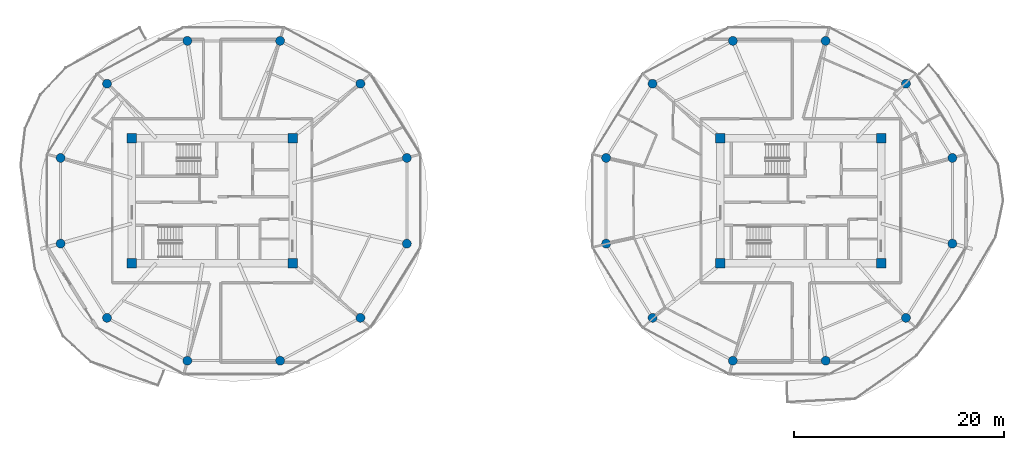
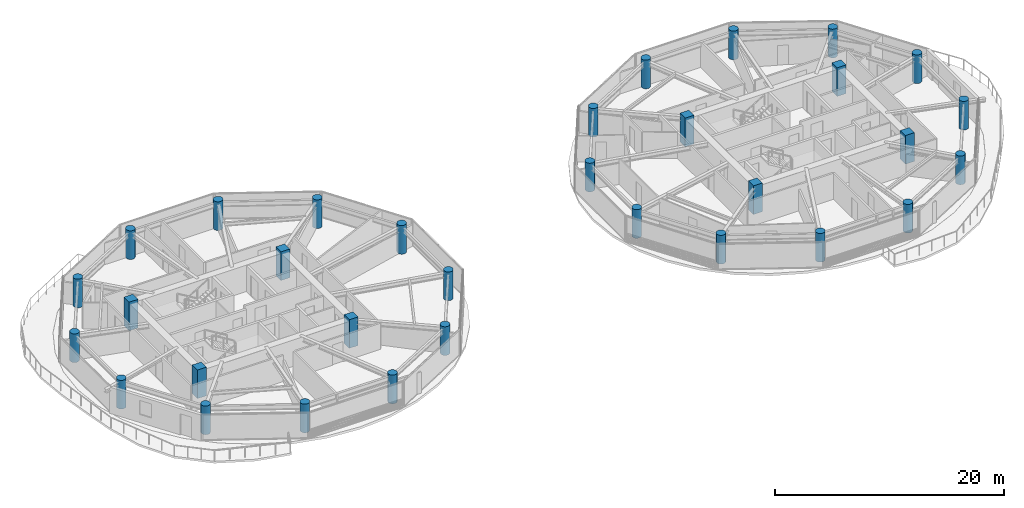
# One storey, part 1 of 23: 32 columns.
"""IFC4 building model written with IfcOpenShell, lengths in metres."""

from ifc_helpers import new_model, si_unit, direction, frame, origin, origin_2d, place, context, subcontext, project, spatial, rectangle, circle, extrude, source, transform, mapped, material, material_profile, profile_set, type_object, type_shapes, element, save


model = new_model("IFC4")

# Units and contexts
model_context = context("Model", 3, precision=1e-05, world=origin(), true_north=direction((0.0, 1.0)))
body_context = subcontext(model_context, "Body", "Model", "MODEL_VIEW")
ifc_project = project(units=[si_unit("LENGTHUNIT", "METRE"), si_unit("AREAUNIT", "SQUARE_METRE"), si_unit("VOLUMEUNIT", "CUBIC_METRE"), si_unit("PLANEANGLEUNIT", "RADIAN"), si_unit("MASSUNIT", "GRAM", prefix="KILO")], contexts=[model_context])

# Site, building, storey
site_placement = place(None, origin())
site = spatial("IfcSite", under=ifc_project, at=site_placement, CompositionType="ELEMENT")
building_placement = place(site_placement, origin())
building = spatial("IfcBuilding", under=site, at=building_placement, Name="Norrkilde Senior Care Towers", CompositionType="ELEMENT")
storey_placement = place(building_placement, frame((0.0, 0.0, 93.199951171875)))
storey = spatial("IfcBuildingStorey", under=building, at=storey_placement, Name="L28", CompositionType="ELEMENT", Elevation=93.199951171875)

# Columns
ifc_material = material(Name="Concrete C60/75", Category="concrete")
ifc_material_profile_1 = material_profile(ifc_material, rectangle(XDim=0.89990234375, YDim=0.89990234375, at=origin_2d()), Name="RC COL 900x900")
ifc_profile_set_1 = profile_set([ifc_material_profile_1], Name="Concrete C60/75")
column_type_1 = type_object("IfcColumnType", Name="Column Core Corner Z1-Z2 900", PredefinedType="COLUMN", material=ifc_profile_set_1)
shared_shape_1 = source(origin(), body_context, "Body", "SweptSolid", [
    extrude(rectangle(XDim=0.89990234375, YDim=0.89990234375, at=origin_2d()), origin(), (0.0, 0.0, 1.0), 3.050048828125),
])
type_shapes(column_type_1, [shared_shape_1])
for number, where, z_axis, x_axis, name in (
    (1, (-35.64990234375, -5.949951171875, 0.0), (0.0, 0.0, 1.0), (1.0, 0.0, 0.0), "L28 Core W Corner Column 1"),
    (2, (-20.35009765625, -5.949951171875, 0.0), (0.0, 0.0, 1.0), (1.0, 0.0, 0.0), "L28 Core W Corner Column 2"),
    (3, (-20.35009765625, 5.949951171875, 0.0), (0.0, 0.0, 1.0), (1.0, 0.0, 0.0), "L28 Core W Corner Column 3"),
    (4, (-35.64990234375, 5.949951171875, 0.0), (0.0, 0.0, 1.0), (1.0, 0.0, 0.0), "L28 Core W Corner Column 4"),
    (5, (20.35009765625, -5.949951171875, 0.0), (0.0, 0.0, 1.0), (1.0, 0.0, 0.0), "L28 Core E Corner Column 1"),
    (6, (35.64990234375, -5.949951171875, 0.0), (0.0, 0.0, 1.0), (1.0, 0.0, 0.0), "L28 Core E Corner Column 2"),
    (7, (35.64990234375, 5.949951171875, 0.0), (0.0, 0.0, 1.0), (1.0, 0.0, 0.0), "L28 Core E Corner Column 3"),
    (8, (20.35009765625, 5.949951171875, 0.0), (0.0, 0.0, 1.0), (1.0, 0.0, 0.0), "L28 Core E Corner Column 4"),
):
    element("IfcColumn", number, at=place(storey_placement, frame(where, z_axis=z_axis, x_axis=x_axis)), inside=storey, type_object=column_type_1, Name=name, PredefinedType="COLUMN", context=body_context, shape_type="MappedRepresentation", body=[
        mapped(shared_shape_1, transform((0.0, 0.0, 0.0), x_axis=(1.0, 0.0, 0.0), y_axis=(0.0, 1.0, 0.0), z_axis=(0.0, 0.0, 1.0), scale=1.0)),
    ])
ifc_material_profile_2 = material_profile(ifc_material, circle(Radius=0.425048828125, at=origin_2d()), Name="RC CIR 850")
ifc_profile_set_2 = profile_set([ifc_material_profile_2], Name="Concrete C60/75")
column_type_2 = type_object("IfcColumnType", Name="Column Perimeter Z2 850", PredefinedType="COLUMN", material=ifc_profile_set_2)
shared_shape_2 = source(origin(), body_context, "Body", "SweptSolid", [
    extrude(circle(Radius=0.425048828125, at=origin_2d()), origin(), (0.0, 0.0, 1.0), 3.050048828125),
])
type_shapes(column_type_2, [shared_shape_2])
for number, where, z_axis, x_axis, name in (
    (9, (-9.48095703125, 4.076416015625, 0.0), (0.0, 0.0, 1.0), (1.0, 0.0, 0.0), "L28 Drum W Perimeter Column 01"),
    (10, (-13.893798828125, 11.136962890625, 0.0), (0.0, 0.0, 1.0), (1.0, 0.0, 0.0), "L28 Drum W Perimeter Column 02"),
    (11, (-21.537109375, 15.21337890625, 0.0), (0.0, 0.0, 1.0), (1.0, 0.0, 0.0), "L28 Drum W Perimeter Column 03"),
    (12, (-30.36279296875, 15.21337890625, 0.0), (0.0, 0.0, 1.0), (1.0, 0.0, 0.0), "L28 Drum W Perimeter Column 04"),
    (13, (-38.006103515625, 11.136962890625, 0.0), (0.0, 0.0, 1.0), (1.0, 0.0, 0.0), "L28 Drum W Perimeter Column 05"),
    (14, (-42.4189453125, 4.076416015625, 0.0), (0.0, 0.0, 1.0), (1.0, 0.0, 0.0), "L28 Drum W Perimeter Column 06"),
    (15, (-42.4189453125, -4.076416015625, 0.0), (0.0, 0.0, 1.0), (1.0, 0.0, 0.0), "L28 Drum W Perimeter Column 07"),
    (16, (-38.006103515625, -11.136962890625, 0.0), (0.0, 0.0, 1.0), (1.0, 0.0, 0.0), "L28 Drum W Perimeter Column 08"),
    (17, (-30.36279296875, -15.21337890625, 0.0), (0.0, 0.0, 1.0), (1.0, 0.0, 0.0), "L28 Drum W Perimeter Column 09"),
    (18, (-21.537109375, -15.21337890625, 0.0), (0.0, 0.0, 1.0), (1.0, 0.0, 0.0), "L28 Drum W Perimeter Column 10"),
    (19, (-13.893798828125, -11.136962890625, 0.0), (0.0, 0.0, 1.0), (1.0, 0.0, 0.0), "L28 Drum W Perimeter Column 11"),
    (20, (-9.48095703125, -4.076416015625, 0.0), (0.0, 0.0, 1.0), (1.0, 0.0, 0.0), "L28 Drum W Perimeter Column 12"),
    (21, (42.4189453125, 4.076416015625, 0.0), (0.0, 0.0, 1.0), (1.0, 0.0, 0.0), "L28 Drum E Perimeter Column 01"),
    (22, (38.006103515625, 11.136962890625, 0.0), (0.0, 0.0, 1.0), (1.0, 0.0, 0.0), "L28 Drum E Perimeter Column 02"),
    (23, (30.36279296875, 15.21337890625, 0.0), (0.0, 0.0, 1.0), (1.0, 0.0, 0.0), "L28 Drum E Perimeter Column 03"),
    (24, (21.537109375, 15.21337890625, 0.0), (0.0, 0.0, 1.0), (1.0, 0.0, 0.0), "L28 Drum E Perimeter Column 04"),
    (25, (13.893798828125, 11.136962890625, 0.0), (0.0, 0.0, 1.0), (1.0, 0.0, 0.0), "L28 Drum E Perimeter Column 05"),
    (26, (9.48095703125, 4.076416015625, 0.0), (0.0, 0.0, 1.0), (1.0, 0.0, 0.0), "L28 Drum E Perimeter Column 06"),
    (27, (9.48095703125, -4.076416015625, 0.0), (0.0, 0.0, 1.0), (1.0, 0.0, 0.0), "L28 Drum E Perimeter Column 07"),
    (28, (13.893798828125, -11.136962890625, 0.0), (0.0, 0.0, 1.0), (1.0, 0.0, 0.0), "L28 Drum E Perimeter Column 08"),
    (29, (21.537109375, -15.21337890625, 0.0), (0.0, 0.0, 1.0), (1.0, 0.0, 0.0), "L28 Drum E Perimeter Column 09"),
    (30, (30.36279296875, -15.21337890625, 0.0), (0.0, 0.0, 1.0), (1.0, 0.0, 0.0), "L28 Drum E Perimeter Column 10"),
    (31, (38.006103515625, -11.136962890625, 0.0), (0.0, 0.0, 1.0), (1.0, 0.0, 0.0), "L28 Drum E Perimeter Column 11"),
    (32, (42.4189453125, -4.076416015625, 0.0), (0.0, 0.0, 1.0), (1.0, 0.0, 0.0), "L28 Drum E Perimeter Column 12"),
):
    element("IfcColumn", number, at=place(storey_placement, frame(where, z_axis=z_axis, x_axis=x_axis)), inside=storey, type_object=column_type_2, Name=name, PredefinedType="COLUMN", context=body_context, shape_type="MappedRepresentation", body=[
        mapped(shared_shape_2, transform((0.0, 0.0, 0.0), x_axis=(1.0, 0.0, 0.0), y_axis=(0.0, 1.0, 0.0), z_axis=(0.0, 0.0, 1.0), scale=1.0)),
    ])

save(model, "model.ifc")
